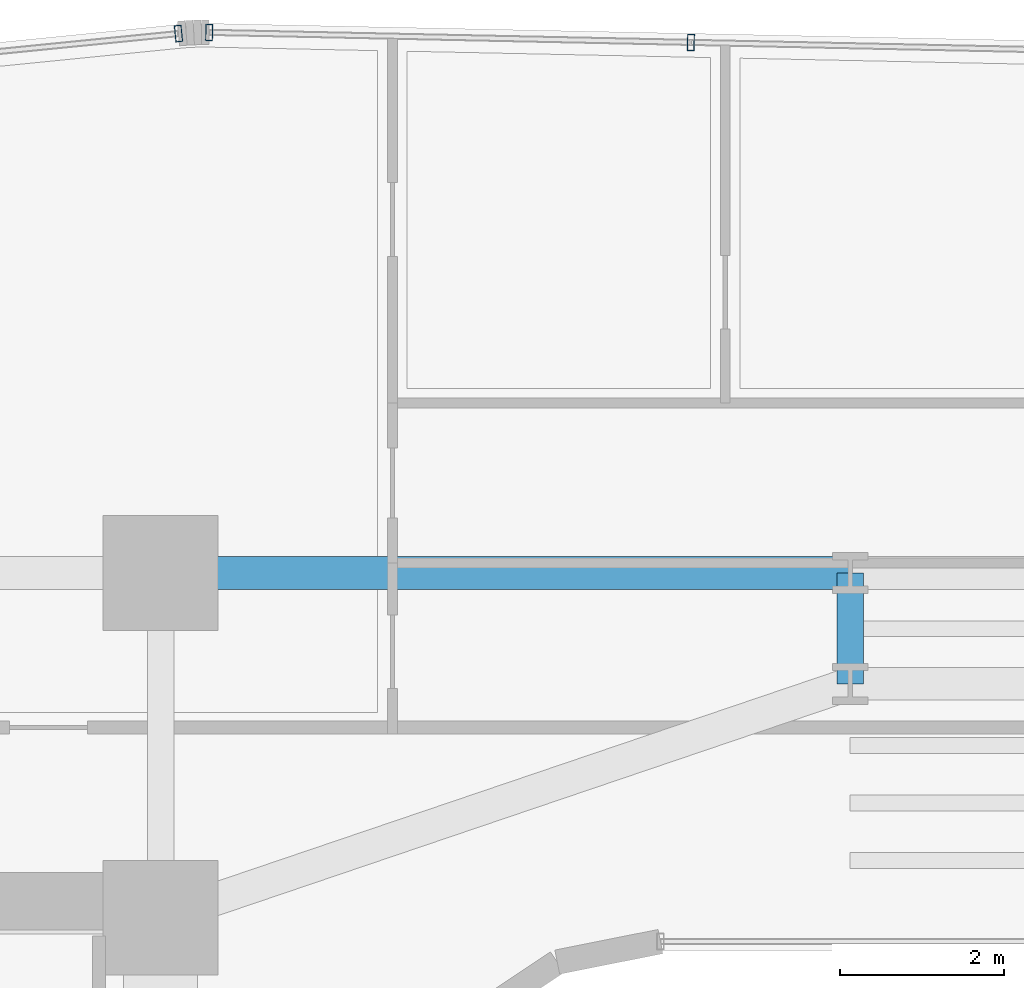
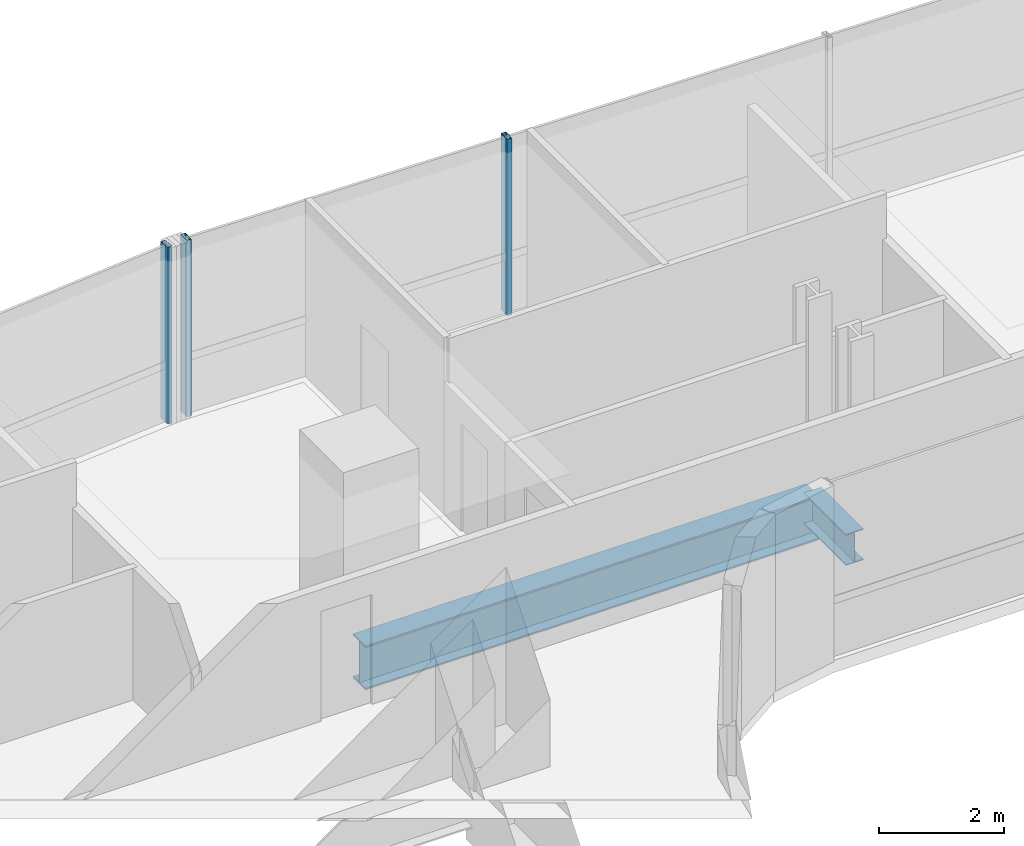
# One storey, part 19 of 40: 3 members, 2 beams, 2 elements without a shape of their own.
"""IFC4 building model written with IfcOpenShell, lengths in metres."""

from ifc_helpers import new_model, si_unit, direction, frame, origin, origin_2d, place, context, subcontext, project, spatial, hollow_rectangle, i_section, extrude, source, transform, mapped, material, material_profile, profile_set, type_object, element, aggregate, save


model = new_model("IFC4")

# Units and contexts
model_context = context("Model", 3, precision=1e-05, world=origin(), true_north=direction((0.0, 1.0)))
body_context = subcontext(model_context, "Body", "Model", "MODEL_VIEW")
ifc_project = project(units=[si_unit("LENGTHUNIT", "METRE"), si_unit("AREAUNIT", "SQUARE_METRE"), si_unit("VOLUMEUNIT", "CUBIC_METRE"), si_unit("PLANEANGLEUNIT", "RADIAN"), si_unit("MASSUNIT", "GRAM", prefix="KILO")], contexts=[model_context])

# Site, building, storey
site_placement = place(None, origin())
site = spatial("IfcSite", under=ifc_project, at=site_placement, CompositionType="ELEMENT")
building_placement = place(site_placement, origin())
building = spatial("IfcBuilding", under=site, at=building_placement, Name="Valdorenza Pilgrim Sanctuary Tower", CompositionType="ELEMENT")
storey_placement = place(building_placement, frame((0.0, 0.0, 44.5)))
storey = spatial("IfcBuildingStorey", under=building, at=storey_placement, Name="L10", CompositionType="ELEMENT", Elevation=44.5)

# Beams
ifc_material_1 = material(Name="Steel ASTM A992 Grade 50", Category="steel")
ifc_material_profile_1 = material_profile(ifc_material_1, i_section(OverallWidth=0.39990234375, OverallDepth=0.862060546875, WebThickness=0.019775390625, FlangeThickness=0.032470703125, at=origin_2d()), Name="W33X221")
ifc_profile_set_1 = profile_set([ifc_material_profile_1], Name="Steel ASTM A992 Grade 50")
beam_type_1 = type_object("IfcBeamType", Name="STR-BM-GRD-W33", PredefinedType="BEAM", material=ifc_profile_set_1)
shared_shape_1 = source(origin(), body_context, "Body", "SweptSolid", [
    extrude(i_section(OverallWidth=0.39990234375, OverallDepth=0.862060546875, WebThickness=0.019775390625, FlangeThickness=0.032470703125, at=origin_2d()), origin(), (0.0, 0.0, 1.0), 8.39990234375),
])
beam_1_placement = place(storey_placement, frame((-12.39990234375, 14.800048828125, -0.6708984375), z_axis=(1.0, 0.0, 0.0), x_axis=(0.0, 1.0, 0.0)))
element("IfcBeam", 1, at=beam_1_placement, inside=storey, type_object=beam_type_1, Name="L10 Floor Girder KNK-G4", PredefinedType="BEAM", context=body_context, shape_type="MappedRepresentation", body=[
    mapped(shared_shape_1, transform((0.0, 0.0, 0.0), x_axis=(1.0, 0.0, 0.0), y_axis=(0.0, 1.0, 0.0), z_axis=(0.0, 0.0, 1.0), scale=1.0)),
])
ifc_material_profile_2 = material_profile(ifc_material_1, i_section(OverallWidth=0.323974609375, OverallDepth=0.611083984375, WebThickness=0.0126953125, FlangeThickness=0.01904296875, at=origin_2d()), Name="W24X104")
ifc_profile_set_2 = profile_set([ifc_material_profile_2], Name="Steel ASTM A992 Grade 50")
beam_type_2 = type_object("IfcBeamType", Name="STR-BM-GRD-W24B", PredefinedType="BEAM", material=ifc_profile_set_2)
shared_shape_2 = source(origin(), body_context, "Body", "SweptSolid", [
    extrude(i_section(OverallWidth=0.323974609375, OverallDepth=0.611083984375, WebThickness=0.0126953125, FlangeThickness=0.01904296875, at=origin_2d()), origin(), (0.0, 0.0, 1.0), 1.35009765625),
])
beam_2_placement = place(storey_placement, frame((-4.0, 13.449951171875, -0.54541015625), z_axis=(0.0, 1.0, 0.0), x_axis=(-1.0, 0.0, 0.0)))
element("IfcBeam", 2, at=beam_2_placement, inside=storey, type_object=beam_type_2, Name="L10 Floor Girder KNK-TIE-W", PredefinedType="BEAM", context=body_context, shape_type="MappedRepresentation", body=[
    mapped(shared_shape_2, transform((0.0, 0.0, 0.0), x_axis=(1.0, 0.0, 0.0), y_axis=(0.0, 1.0, 0.0), z_axis=(0.0, 0.0, 1.0), scale=1.0)),
])

# Curtain wall, member
ifc_material_2 = material(Name="Curtain-wall IGU glazing", Category="glass")
curtain_wall_type = type_object("IfcCurtainWallType", Name="CW-SYS-02", PredefinedType="NOTDEFINED", material=ifc_material_2)
curtain_wall_1_placement = place(storey_placement, origin())
curtain_wall_1 = element("IfcCurtainWall", 3, at=curtain_wall_1_placement, inside=storey, type_object=curtain_wall_type, Name="L10 Curtain Wall CW-L10-1-6", PredefinedType="NOTDEFINED")
ifc_material_3 = material(Name="Anodised aluminium AW-6060", Category="aluminium")
ifc_material_profile_3 = material_profile(ifc_material_3, hollow_rectangle(XDim=0.0849609375, YDim=0.199951171875, WallThickness=0.0048828125, at=origin_2d()), Name="ALU-M 200x85x5")
ifc_profile_set_3 = profile_set([ifc_material_profile_3], Name="Anodised aluminium AW-6060")
member_type = type_object("IfcMemberType", Name="CW-MUL-02", PredefinedType="MULLION", material=ifc_profile_set_3)
shared_shape_3 = source(origin(), body_context, "Body", "SweptSolid", [
    extrude(hollow_rectangle(XDim=0.0849609375, YDim=0.199951171875, WallThickness=0.0048828125, at=origin_2d()), origin(), (0.0, 0.0, 1.0), 3.4599609375),
])
member_1_placement = place(storey_placement, frame((-12.181884765625, 21.371337890625, 0.0), z_axis=(0.0, 0.0, 1.0), x_axis=(0.995038220239, 0.099493418189, 0.0)))
member_1 = element("IfcMember", 4, at=member_1_placement, type_object=member_type, Name="CW-L10-1-6 Mullion 4", PredefinedType="MULLION", context=body_context, shape_type="MappedRepresentation", body=[
    mapped(shared_shape_3, transform((0.0, 0.0, 0.0), x_axis=(1.0, 0.0, 0.0), y_axis=(0.0, 1.0, 0.0), z_axis=(0.0, 0.0, 1.0), scale=1.0)),
])
aggregate(curtain_wall_1, [member_1])

# Curtain wall, members
curtain_wall_2_placement = place(storey_placement, origin())
curtain_wall_2 = element("IfcCurtainWall", 5, at=curtain_wall_2_placement, inside=storey, type_object=curtain_wall_type, Name="L10 Curtain Wall CW-L10-1-11", PredefinedType="NOTDEFINED")
member_2_placement = place(storey_placement, frame((-11.808349609375, 21.385986328125, 0.0), z_axis=(0.0, 0.0, 1.0), x_axis=(0.999783234613, -0.020820273474, 0.0)))
member_2 = element("IfcMember", 6, at=member_2_placement, type_object=member_type, Name="CW-L10-1-11 Mullion 1", PredefinedType="MULLION", context=body_context, shape_type="MappedRepresentation", body=[
    mapped(shared_shape_3, transform((0.0, 0.0, 0.0), x_axis=(1.0, 0.0, 0.0), y_axis=(0.0, 1.0, 0.0), z_axis=(0.0, 0.0, 1.0), scale=1.0)),
])
member_3_placement = place(storey_placement, frame((-5.93994140625, 21.263671875, 0.0), z_axis=(0.0, 0.0, 1.0), x_axis=(0.999783234613, -0.020820273474, 0.0)))
member_3 = element("IfcMember", 7, at=member_3_placement, type_object=member_type, Name="CW-L10-1-11 Mullion 2", PredefinedType="MULLION", context=body_context, shape_type="MappedRepresentation", body=[
    mapped(shared_shape_3, transform((0.0, 0.0, 0.0), x_axis=(1.0, 0.0, 0.0), y_axis=(0.0, 1.0, 0.0), z_axis=(0.0, 0.0, 1.0), scale=1.0)),
])
aggregate(curtain_wall_2, [member_2, member_3])

save(model, "model.ifc")
